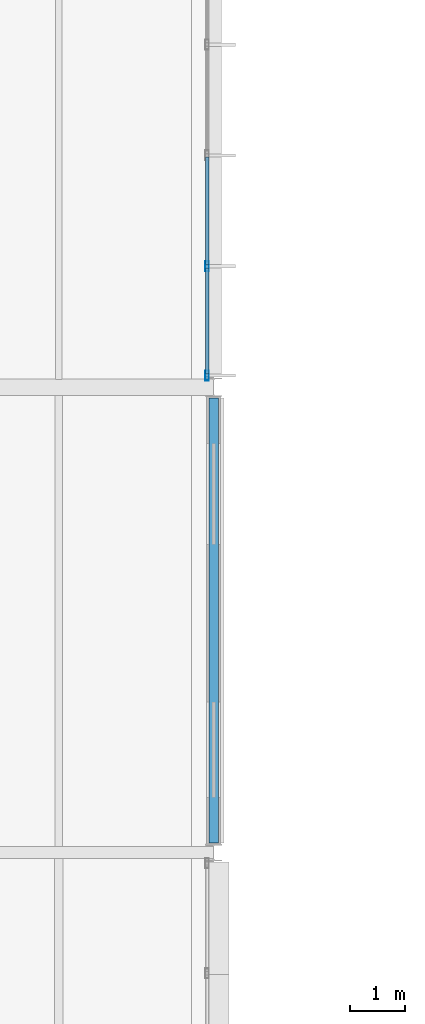
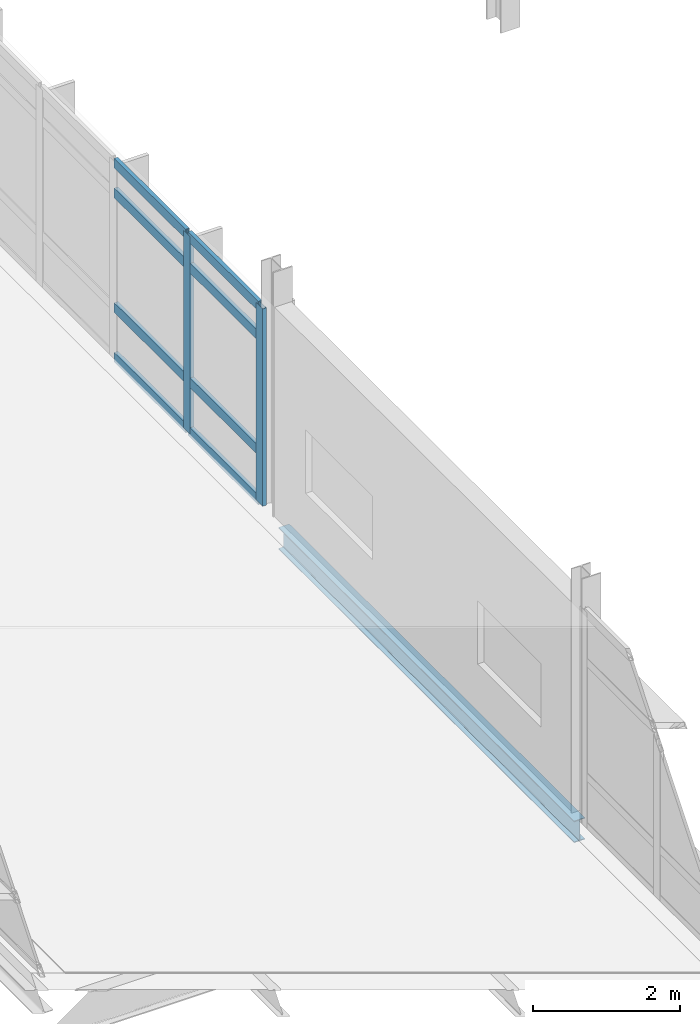
# One storey, part 42 of 66: 10 members, 1 beam, 1 element without a shape of its own.
"""IFC4 building model written with IfcOpenShell, lengths in metres."""

from ifc_helpers import new_model, si_unit, direction, frame, origin, origin_2d, place, context, subcontext, project, spatial, hollow_rectangle, i_section, extrude, material, material_profile, profile_set, type_object, element, aggregate, save


model = new_model("IFC4")

# Units and contexts
model_context = context("Model", 3, precision=1e-05, world=origin(), true_north=direction((0.0, 1.0)))
body_context = subcontext(model_context, "Body", "Model", "MODEL_VIEW")
ifc_project = project(units=[si_unit("LENGTHUNIT", "METRE"), si_unit("AREAUNIT", "SQUARE_METRE"), si_unit("VOLUMEUNIT", "CUBIC_METRE"), si_unit("PLANEANGLEUNIT", "RADIAN"), si_unit("MASSUNIT", "GRAM", prefix="KILO")], contexts=[model_context])

# Site, building, storey
site_placement = place(None, origin())
site = spatial("IfcSite", under=ifc_project, at=site_placement, CompositionType="ELEMENT")
building_placement = place(site_placement, origin())
building = spatial("IfcBuilding", under=site, at=building_placement, Name="Mersafa Astral City Hall", CompositionType="ELEMENT")
storey_placement = place(building_placement, frame((0.0, 0.0, 22.050048828125)))
storey = spatial("IfcBuildingStorey", under=building, at=storey_placement, Name="L05", CompositionType="ELEMENT", Elevation=22.050048828125)

# Curtain wall, members
ifc_material_1 = material(Name="Anodised bronze aluminium framing", Category="aluminium")
curtain_wall_type = type_object("IfcCurtainWallType", Name="ENV-CW-1", PredefinedType="USERDEFINED", material=ifc_material_1)
curtain_wall_placement = place(storey_placement, origin())
curtain_wall = element("IfcCurtainWall", 1, at=curtain_wall_placement, inside=storey, type_object=curtain_wall_type, Name="L05 Unitised solar curtain wall 228", ObjectType="UNITISED CURTAIN WALL", PredefinedType="USERDEFINED")
ifc_material_profile_1 = material_profile(ifc_material_1, hollow_rectangle(XDim=0.06005859375, YDim=0.179931640625, WallThickness=0.00390625, at=origin_2d()), Name="RHS 60x180x4")
ifc_profile_set_1 = profile_set([ifc_material_profile_1], Name="Anodised bronze aluminium framing")
member_type_1 = type_object("IfcMemberType", Name="ENV-CW-MUL-1", PredefinedType="MULLION", material=ifc_profile_set_1)
member_1_placement = place(storey_placement, frame((176.280029296875, 101.011962890625, -0.001953125), z_axis=(0.0, 0.0, 1.0), x_axis=(-1.0, 0.0, 0.0)))
member_1 = element("IfcMember", 2, at=member_1_placement, type_object=member_type_1, Name="CW-1 mullion 1", PredefinedType="MULLION", context=body_context, shape_type="SweptSolid", body=[
    extrude(hollow_rectangle(XDim=0.06005859375, YDim=0.179931640625, WallThickness=0.00390625, at=origin_2d()), origin(), (0.0, 0.0, 1.0), 3.27392578125),
])
member_2_placement = place(storey_placement, frame((176.280029296875, 102.9833984375, -0.001953125), z_axis=(0.0, 0.0, 1.0), x_axis=(-1.0, 0.0, 0.0)))
member_2 = element("IfcMember", 3, at=member_2_placement, type_object=member_type_1, Name="CW-1 mullion 2", PredefinedType="MULLION", context=body_context, shape_type="SweptSolid", body=[
    extrude(hollow_rectangle(XDim=0.06005859375, YDim=0.179931640625, WallThickness=0.00390625, at=origin_2d()), origin(), (0.0, 0.0, 1.0), 3.27392578125),
])
ifc_material_profile_2 = material_profile(ifc_material_1, hollow_rectangle(XDim=0.06005859375, YDim=0.159912109375, WallThickness=0.00390625, at=origin_2d()), Name="RHS 60x160x4")
ifc_profile_set_2 = profile_set([ifc_material_profile_2], Name="Anodised bronze aluminium framing")
member_type_2 = type_object("IfcMemberType", Name="ENV-CW-TRN-2", PredefinedType="USERDEFINED", material=ifc_profile_set_2)
member_3_placement = place(storey_placement, frame((176.280029296875, 101.0419921875, 0.02783203125), z_axis=(0.0, 1.0, 0.0), x_axis=(-1.0, 0.0, 0.0)))
member_3 = element("IfcMember", 4, at=member_3_placement, type_object=member_type_2, Name="CW-1 transom 1.1", ObjectType="TRANSOM", PredefinedType="USERDEFINED", context=body_context, shape_type="SweptSolid", body=[
    extrude(hollow_rectangle(XDim=0.06005859375, YDim=0.159912109375, WallThickness=0.00390625, at=origin_2d()), origin(), (0.0, 0.0, 1.0), 1.91162109375),
])
member_4_placement = place(storey_placement, frame((176.280029296875, 101.0419921875, 0.849853515625), z_axis=(0.0, 1.0, 0.0), x_axis=(-1.0, 0.0, 0.0)))
member_4 = element("IfcMember", 5, at=member_4_placement, type_object=member_type_2, Name="CW-1 transom 1.2", ObjectType="TRANSOM", PredefinedType="USERDEFINED", context=body_context, shape_type="SweptSolid", body=[
    extrude(hollow_rectangle(XDim=0.06005859375, YDim=0.159912109375, WallThickness=0.00390625, at=origin_2d()), origin(), (0.0, 0.0, 1.0), 1.91162109375),
])
member_5_placement = place(storey_placement, frame((176.280029296875, 101.0419921875, 2.75), z_axis=(0.0, 1.0, 0.0), x_axis=(-1.0, 0.0, 0.0)))
member_5 = element("IfcMember", 6, at=member_5_placement, type_object=member_type_2, Name="CW-1 transom 1.3", ObjectType="TRANSOM", PredefinedType="USERDEFINED", context=body_context, shape_type="SweptSolid", body=[
    extrude(hollow_rectangle(XDim=0.06005859375, YDim=0.159912109375, WallThickness=0.00390625, at=origin_2d()), origin(), (0.0, 0.0, 1.0), 1.91162109375),
])
member_6_placement = place(storey_placement, frame((176.280029296875, 101.0419921875, 3.241943359375), z_axis=(0.0, 1.0, 0.0), x_axis=(-1.0, 0.0, 0.0)))
member_6 = element("IfcMember", 7, at=member_6_placement, type_object=member_type_2, Name="CW-1 transom 1.4", ObjectType="TRANSOM", PredefinedType="USERDEFINED", context=body_context, shape_type="SweptSolid", body=[
    extrude(hollow_rectangle(XDim=0.06005859375, YDim=0.159912109375, WallThickness=0.00390625, at=origin_2d()), origin(), (0.0, 0.0, 1.0), 1.91162109375),
])
member_7_placement = place(storey_placement, frame((176.280029296875, 103.013427734375, 0.02783203125), z_axis=(0.0, 1.0, 0.0), x_axis=(-1.0, 0.0, 0.0)))
member_7 = element("IfcMember", 8, at=member_7_placement, type_object=member_type_2, Name="CW-1 transom 2.1", ObjectType="TRANSOM", PredefinedType="USERDEFINED", context=body_context, shape_type="SweptSolid", body=[
    extrude(hollow_rectangle(XDim=0.06005859375, YDim=0.159912109375, WallThickness=0.00390625, at=origin_2d()), origin(), (0.0, 0.0, 1.0), 1.941650390625),
])
member_8_placement = place(storey_placement, frame((176.280029296875, 103.013427734375, 0.849853515625), z_axis=(0.0, 1.0, 0.0), x_axis=(-1.0, 0.0, 0.0)))
member_8 = element("IfcMember", 9, at=member_8_placement, type_object=member_type_2, Name="CW-1 transom 2.2", ObjectType="TRANSOM", PredefinedType="USERDEFINED", context=body_context, shape_type="SweptSolid", body=[
    extrude(hollow_rectangle(XDim=0.06005859375, YDim=0.159912109375, WallThickness=0.00390625, at=origin_2d()), origin(), (0.0, 0.0, 1.0), 1.941650390625),
])
member_9_placement = place(storey_placement, frame((176.280029296875, 103.013427734375, 2.75), z_axis=(0.0, 1.0, 0.0), x_axis=(-1.0, 0.0, 0.0)))
member_9 = element("IfcMember", 10, at=member_9_placement, type_object=member_type_2, Name="CW-1 transom 2.3", ObjectType="TRANSOM", PredefinedType="USERDEFINED", context=body_context, shape_type="SweptSolid", body=[
    extrude(hollow_rectangle(XDim=0.06005859375, YDim=0.159912109375, WallThickness=0.00390625, at=origin_2d()), origin(), (0.0, 0.0, 1.0), 1.941650390625),
])
member_10_placement = place(storey_placement, frame((176.280029296875, 103.013427734375, 3.241943359375), z_axis=(0.0, 1.0, 0.0), x_axis=(-1.0, 0.0, 0.0)))
member_10 = element("IfcMember", 11, at=member_10_placement, type_object=member_type_2, Name="CW-1 transom 2.4", ObjectType="TRANSOM", PredefinedType="USERDEFINED", context=body_context, shape_type="SweptSolid", body=[
    extrude(hollow_rectangle(XDim=0.06005859375, YDim=0.159912109375, WallThickness=0.00390625, at=origin_2d()), origin(), (0.0, 0.0, 1.0), 1.941650390625),
])
aggregate(curtain_wall, [member_1, member_2, member_3, member_4, member_5, member_6, member_7, member_8, member_9, member_10])

# Beam
ifc_material_2 = material(Name="Steel S355", Category="steel")
ifc_material_profile_3 = material_profile(ifc_material_2, i_section(OverallWidth=0.169921875, OverallDepth=0.360107421875, WebThickness=0.008056640625, FlangeThickness=0.0126953125, FilletRadius=0.01806640625, at=origin_2d()), Name="IPE 360")
ifc_profile_set_3 = profile_set([ifc_material_profile_3], Name="Steel S355")
beam_type = type_object("IfcBeamType", Name="STR-BM-SPANDREL-IPE360", PredefinedType="SPANDREL", material=ifc_profile_set_3)
beam_placement = place(storey_placement, frame((176.39990234375, 92.574951171875, -0.360107421875), z_axis=(0.0, 1.0, 0.0), x_axis=(-1.0, 0.0, 0.0)))
element("IfcBeam", 12, at=beam_placement, inside=storey, type_object=beam_type, Name="L05 Primary girder Y 21-11", PredefinedType="SPANDREL", context=body_context, shape_type="SweptSolid", body=[
    extrude(i_section(OverallWidth=0.169921875, OverallDepth=0.360107421875, WebThickness=0.008056640625, FlangeThickness=0.0126953125, FilletRadius=0.01806640625, at=origin_2d()), origin(), (0.0, 0.0, 1.0), 8.030029296875),
])

save(model, "model.ifc")
